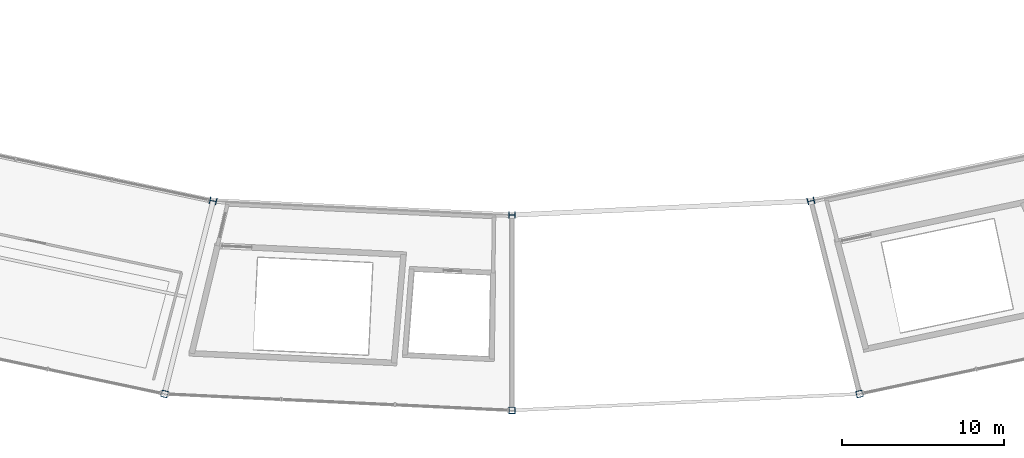
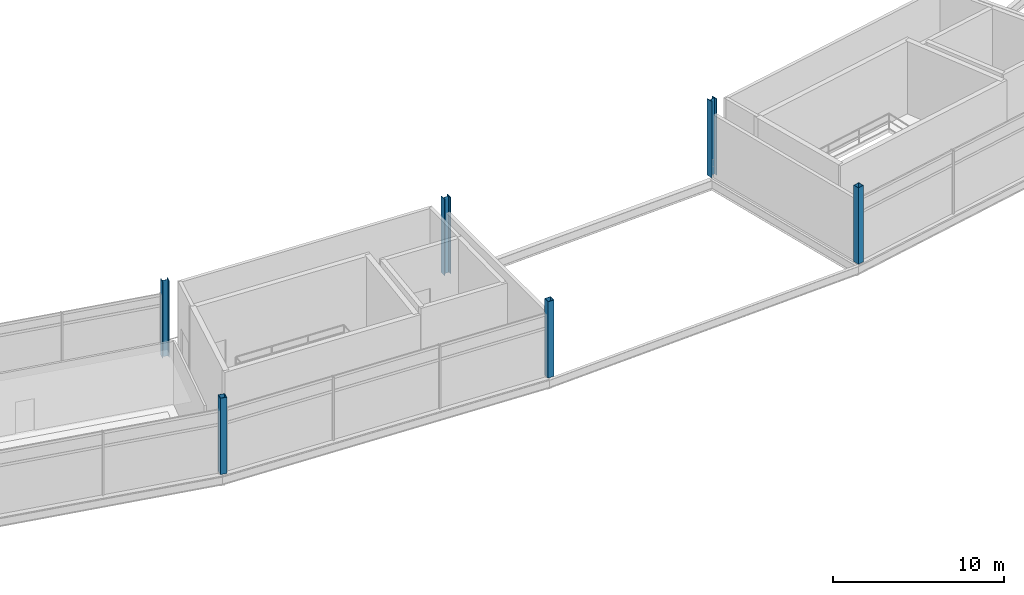
# One storey, part 3 of 86: 6 columns.
"""IFC4 building model written with IfcOpenShell, lengths in metres."""

from ifc_helpers import new_model, si_unit, direction, frame, origin, origin_2d, place, context, subcontext, project, spatial, hollow_rectangle, i_section, extrude, material, material_profile, profile_set, type_object, element, save


model = new_model("IFC4")

# Units and contexts
model_context = context("Model", 3, precision=1e-05, world=origin(), true_north=direction((0.0, 1.0)))
body_context = subcontext(model_context, "Body", "Model", "MODEL_VIEW")
ifc_project = project(units=[si_unit("LENGTHUNIT", "METRE"), si_unit("AREAUNIT", "SQUARE_METRE"), si_unit("VOLUMEUNIT", "CUBIC_METRE"), si_unit("PLANEANGLEUNIT", "RADIAN"), si_unit("MASSUNIT", "GRAM", prefix="KILO")], contexts=[model_context])

# Site, building, storey
site_placement = place(None, origin())
site = spatial("IfcSite", under=ifc_project, at=site_placement, CompositionType="ELEMENT")
building_placement = place(site_placement, origin())
building = spatial("IfcBuilding", under=site, at=building_placement, Name="Kazemori Nagisa Stadium", CompositionType="ELEMENT")
storey_placement = place(building_placement, frame((0.0, 0.0, 31.280029296875)))
storey = spatial("IfcBuildingStorey", under=building, at=storey_placement, Name="L06", CompositionType="ELEMENT", Elevation=31.280029296875)

# Columns
ifc_material_1 = material(Name="Steel SN490B", Category="steel")
ifc_material_profile_1 = material_profile(ifc_material_1, i_section(OverallWidth=0.406982421875, OverallDepth=0.427978515625, WebThickness=0.02001953125, FlangeThickness=0.034912109375, FilletRadius=0.012939453125, at=origin_2d()), Name="H-428x407x20x35")
ifc_profile_set_1 = profile_set([ifc_material_profile_1], Name="Steel SN490B")
column_type_1 = type_object("IfcColumnType", Name="Column_C-H428", PredefinedType="COLUMN", material=ifc_profile_set_1)
for number, where, z_axis, x_axis, name in (
    (1, (104.572265625, 28.911376953125, 0.0), (0.0, 0.0, 1.0), (-0.222520933954, -0.974927912182, 0.0), "Column C-H428 L06 R2-21"),
    (2, (123.0, 28.0400390625, 0.0), (0.0, 0.0, 1.0), (0.0, -1.0, 0.0), "Column C-H428 L06 R2-22"),
    (3, (141.427734375, 28.911376953125, 0.0), (0.0, 0.0, 1.0), (0.222520933954, -0.974927912182, 0.0), "Column C-H428 L06 R2-23"),
):
    element("IfcColumn", number, at=place(storey_placement, frame(where, z_axis=z_axis, x_axis=x_axis)), inside=storey, type_object=column_type_1, Name=name, PredefinedType="COLUMN", context=body_context, shape_type="SweptSolid", body=[
        extrude(i_section(OverallWidth=0.406982421875, OverallDepth=0.427978515625, WebThickness=0.02001953125, FlangeThickness=0.034912109375, FilletRadius=0.012939453125, at=origin_2d()), origin(), (0.0, 0.0, 1.0), 5.43994140625),
    ])
ifc_material_2 = material(Name="Steel STKR490", Category="steel")
ifc_material_profile_2 = material_profile(ifc_material_2, hollow_rectangle(XDim=0.39990234375, YDim=0.39990234375, WallThickness=0.01904296875, at=origin_2d()), Name="SHS-400x400x19")
ifc_profile_set_2 = profile_set([ifc_material_profile_2], Name="Steel STKR490")
column_type_2 = type_object("IfcColumnType", Name="Column_C-ST400", PredefinedType="COLUMN", material=ifc_profile_set_2)
for number, where, z_axis, x_axis, name in (
    (4, (101.572265625, 17.01318359375, 0.0), (0.0, 0.0, 1.0), (-0.222520933954, -0.974927912182, 0.0), "Column C-ST400 L06 R3-21"),
    (5, (123.0, 16.0, 0.0), (0.0, 0.0, 1.0), (0.0, -1.0, 0.0), "Column C-ST400 L06 R3-22"),
    (6, (144.427734375, 17.01318359375, 0.0), (0.0, 0.0, 1.0), (0.222520933954, -0.974927912182, 0.0), "Column C-ST400 L06 R3-23"),
):
    element("IfcColumn", number, at=place(storey_placement, frame(where, z_axis=z_axis, x_axis=x_axis)), inside=storey, type_object=column_type_2, Name=name, PredefinedType="COLUMN", context=body_context, shape_type="SweptSolid", body=[
        extrude(hollow_rectangle(XDim=0.39990234375, YDim=0.39990234375, WallThickness=0.01904296875, at=origin_2d()), origin(), (0.0, 0.0, 1.0), 5.43994140625),
    ])

save(model, "model.ifc")
